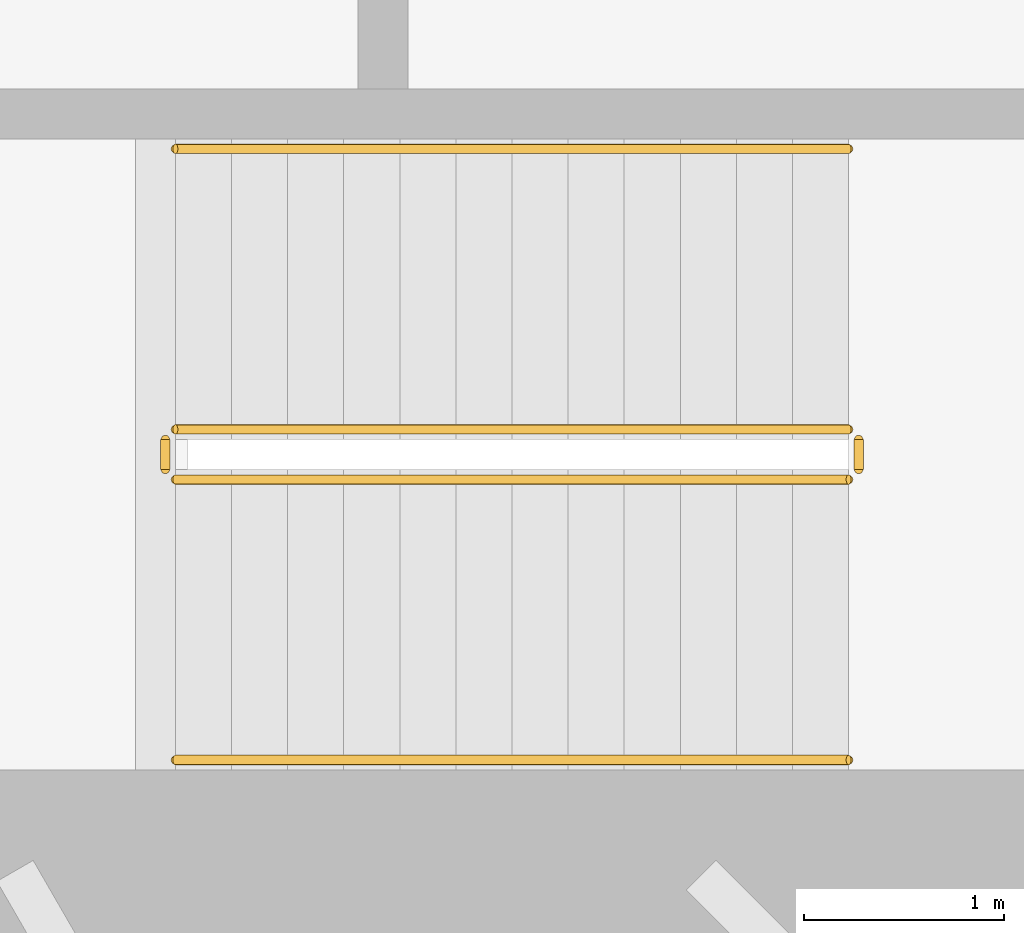
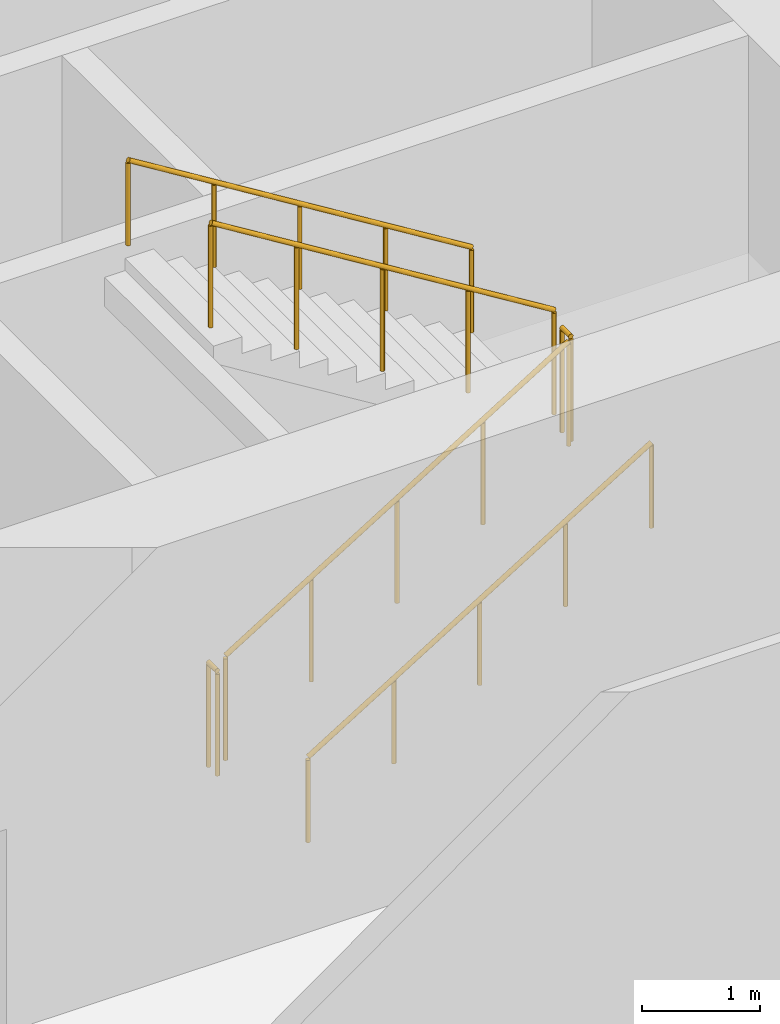
# One storey, part 45 of 49: 6 railings.
"""IFC4 building model written with IfcOpenShell, lengths in metres."""

from ifc_helpers import new_model, si_unit, direction, frame, origin, origin_2d, place, context, subcontext, project, spatial, circle, extrude, material, type_object, element, save


model = new_model("IFC4")

# Units and contexts
model_context = context("Model", 3, precision=1e-05, world=origin(), true_north=direction((0.0, 1.0)))
body_context = subcontext(model_context, "Body", "Model", "MODEL_VIEW")
ifc_project = project(units=[si_unit("LENGTHUNIT", "METRE"), si_unit("AREAUNIT", "SQUARE_METRE"), si_unit("VOLUMEUNIT", "CUBIC_METRE"), si_unit("PLANEANGLEUNIT", "RADIAN"), si_unit("MASSUNIT", "GRAM", prefix="KILO")], contexts=[model_context])

# Site, building, storey
site_placement = place(None, origin())
site = spatial("IfcSite", under=ifc_project, at=site_placement, CompositionType="ELEMENT")
building_placement = place(site_placement, origin())
building = spatial("IfcBuilding", under=site, at=building_placement, Name="Rimbun Link Towers", CompositionType="ELEMENT")
storey_placement = place(building_placement, frame((0.0, 0.0, 25.5)))
storey = spatial("IfcBuildingStorey", under=building, at=storey_placement, Name="L05", CompositionType="ELEMENT", Elevation=25.5)

# Railings
ifc_material_1 = material(Name="Stainless steel grade 316", Category="steel")
railing_type_1 = type_object("IfcRailingType", Name="Stair guard", PredefinedType="GUARDRAIL", material=ifc_material_1)
railing_1_placement = place(storey_placement, frame((37.199951171875, -6.10009765625, 0.173095703125)))
element("IfcRailing", 1, at=railing_1_placement, inside=storey, type_object=railing_type_1, Name="L05 ST4 stair guard 1", PredefinedType="GUARDRAIL", context=body_context, shape_type="SweptSolid", body=[
    extrude(circle(Radius=0.02392578125, at=origin_2d()), frame((0.0, 0.0, 1.076171875), z_axis=(0.850623216509, 0.0, 0.525775754039), x_axis=(0.0, 1.0, 0.0)), (0.0, 0.0, 1.0), 3.9501953125),
    extrude(circle(Radius=0.02099609375, at=origin_2d()), origin(), (0.0, 0.0, 1.0), 1.052001953125),
    extrude(circle(Radius=0.02099609375, at=origin_2d()), frame((0.840087890625, 0.0, 0.519287109375)), (0.0, 0.0, 1.0), 1.052001953125),
    extrude(circle(Radius=0.02099609375, at=origin_2d()), frame((1.68017578125, 0.0, 1.03857421875)), (0.0, 0.0, 1.0), 1.052001953125),
    extrude(circle(Radius=0.02099609375, at=origin_2d()), frame((2.52001953125, 0.0, 1.5576171875)), (0.0, 0.0, 1.0), 1.052001953125),
    extrude(circle(Radius=0.02099609375, at=origin_2d()), frame((3.360107421875, 0.0, 2.076904296875)), (0.0, 0.0, 1.0), 1.052001953125),
])
railing_2_placement = place(storey_placement, frame((40.610107421875, -6.050048828125, 2.25)))
element("IfcRailing", 2, at=railing_2_placement, inside=storey, type_object=railing_type_1, Name="L05 ST4 stair guard 2", PredefinedType="GUARDRAIL", context=body_context, shape_type="SweptSolid", body=[
    extrude(circle(Radius=0.02392578125, at=origin_2d()), frame((0.0, 0.0, 1.076171875), z_axis=(0.0, 1.0, 0.0), x_axis=(-1.0, 0.0, 0.0)), (0.0, 0.0, 1.0), 0.150146484375),
    extrude(circle(Radius=0.02099609375, at=origin_2d()), origin(), (0.0, 0.0, 1.0), 1.052001953125),
    extrude(circle(Radius=0.02099609375, at=origin_2d()), frame((0.0, 0.150146484375, 0.0)), (0.0, 0.0, 1.0), 1.052001953125),
])
railing_3_placement = place(storey_placement, frame((40.56005859375, -5.85009765625, 2.423095703125)))
element("IfcRailing", 3, at=railing_3_placement, inside=storey, type_object=railing_type_1, Name="L05 ST4 stair guard 3", PredefinedType="GUARDRAIL", context=body_context, shape_type="SweptSolid", body=[
    extrude(circle(Radius=0.02392578125, at=origin_2d()), frame((0.0, 0.0, 1.076171875), z_axis=(-0.850623216509, 0.0, 0.525775754039), x_axis=(0.0, -1.0, 0.0)), (0.0, 0.0, 1.0), 3.9501953125),
    extrude(circle(Radius=0.02099609375, at=origin_2d()), origin(), (0.0, 0.0, 1.0), 1.052001953125),
    extrude(circle(Radius=0.02099609375, at=origin_2d()), frame((-0.840087890625, 0.0, 0.519287109375)), (0.0, 0.0, 1.0), 1.052001953125),
    extrude(circle(Radius=0.02099609375, at=origin_2d()), frame((-1.68017578125, 0.0, 1.03857421875)), (0.0, 0.0, 1.0), 1.052001953125),
    extrude(circle(Radius=0.02099609375, at=origin_2d()), frame((-2.52001953125, 0.0, 1.5576171875)), (0.0, 0.0, 1.0), 1.052001953125),
    extrude(circle(Radius=0.02099609375, at=origin_2d()), frame((-3.360107421875, 0.0, 2.076904296875)), (0.0, 0.0, 1.0), 1.052001953125),
])
railing_4_placement = place(storey_placement, frame((37.14990234375, -6.050048828125, 0.0)))
element("IfcRailing", 4, at=railing_4_placement, inside=storey, type_object=railing_type_1, Name="L05 ST4 stair guard 4", PredefinedType="GUARDRAIL", context=body_context, shape_type="SweptSolid", body=[
    extrude(circle(Radius=0.02392578125, at=origin_2d()), frame((0.0, 0.0, 1.076171875), z_axis=(0.0, 1.0, 0.0), x_axis=(-1.0, 0.0, 0.0)), (0.0, 0.0, 1.0), 0.150146484375),
    extrude(circle(Radius=0.02099609375, at=origin_2d()), origin(), (0.0, 0.0, 1.0), 1.052001953125),
    extrude(circle(Radius=0.02099609375, at=origin_2d()), frame((0.0, 0.150146484375, 0.0)), (0.0, 0.0, 1.0), 1.052001953125),
])
ifc_material_2 = material(Name="Stainless steel grade 316", Category="steel")
railing_type_2 = type_object("IfcRailingType", Name="Stair handrail", PredefinedType="HANDRAIL", material=ifc_material_2)
railing_5_placement = place(storey_placement, frame((37.199951171875, -7.5, 0.173095703125)))
element("IfcRailing", 5, at=railing_5_placement, inside=storey, type_object=railing_type_2, Name="L05 ST4 stair handrail 1", PredefinedType="HANDRAIL", context=body_context, shape_type="SweptSolid", body=[
    extrude(circle(Radius=0.02392578125, at=origin_2d()), frame((0.0, 0.0, 0.8759765625), z_axis=(0.850623216509, 0.0, 0.525775754039), x_axis=(0.0, 1.0, 0.0)), (0.0, 0.0, 1.0), 3.9501953125),
    extrude(circle(Radius=0.02099609375, at=origin_2d()), origin(), (0.0, 0.0, 1.0), 0.851806640625),
    extrude(circle(Radius=0.02099609375, at=origin_2d()), frame((0.840087890625, 0.0, 0.519287109375)), (0.0, 0.0, 1.0), 0.851806640625),
    extrude(circle(Radius=0.02099609375, at=origin_2d()), frame((1.68017578125, 0.0, 1.03857421875)), (0.0, 0.0, 1.0), 0.851806640625),
    extrude(circle(Radius=0.02099609375, at=origin_2d()), frame((2.52001953125, 0.0, 1.5576171875)), (0.0, 0.0, 1.0), 0.851806640625),
    extrude(circle(Radius=0.02099609375, at=origin_2d()), frame((3.360107421875, 0.0, 2.076904296875)), (0.0, 0.0, 1.0), 0.851806640625),
])
railing_6_placement = place(storey_placement, frame((40.56005859375, -4.449951171875, 2.423095703125)))
element("IfcRailing", 6, at=railing_6_placement, inside=storey, type_object=railing_type_2, Name="L05 ST4 stair handrail 2", PredefinedType="HANDRAIL", context=body_context, shape_type="SweptSolid", body=[
    extrude(circle(Radius=0.02392578125, at=origin_2d()), frame((0.0, 0.0, 0.8759765625), z_axis=(-0.850623216509, 0.0, 0.525775754039), x_axis=(0.0, -1.0, 0.0)), (0.0, 0.0, 1.0), 3.9501953125),
    extrude(circle(Radius=0.02099609375, at=origin_2d()), origin(), (0.0, 0.0, 1.0), 0.851806640625),
    extrude(circle(Radius=0.02099609375, at=origin_2d()), frame((-0.840087890625, 0.0, 0.519287109375)), (0.0, 0.0, 1.0), 0.851806640625),
    extrude(circle(Radius=0.02099609375, at=origin_2d()), frame((-1.68017578125, 0.0, 1.03857421875)), (0.0, 0.0, 1.0), 0.851806640625),
    extrude(circle(Radius=0.02099609375, at=origin_2d()), frame((-2.52001953125, 0.0, 1.5576171875)), (0.0, 0.0, 1.0), 0.851806640625),
    extrude(circle(Radius=0.02099609375, at=origin_2d()), frame((-3.360107421875, 0.0, 2.076904296875)), (0.0, 0.0, 1.0), 0.851806640625),
])

save(model, "model.ifc")
